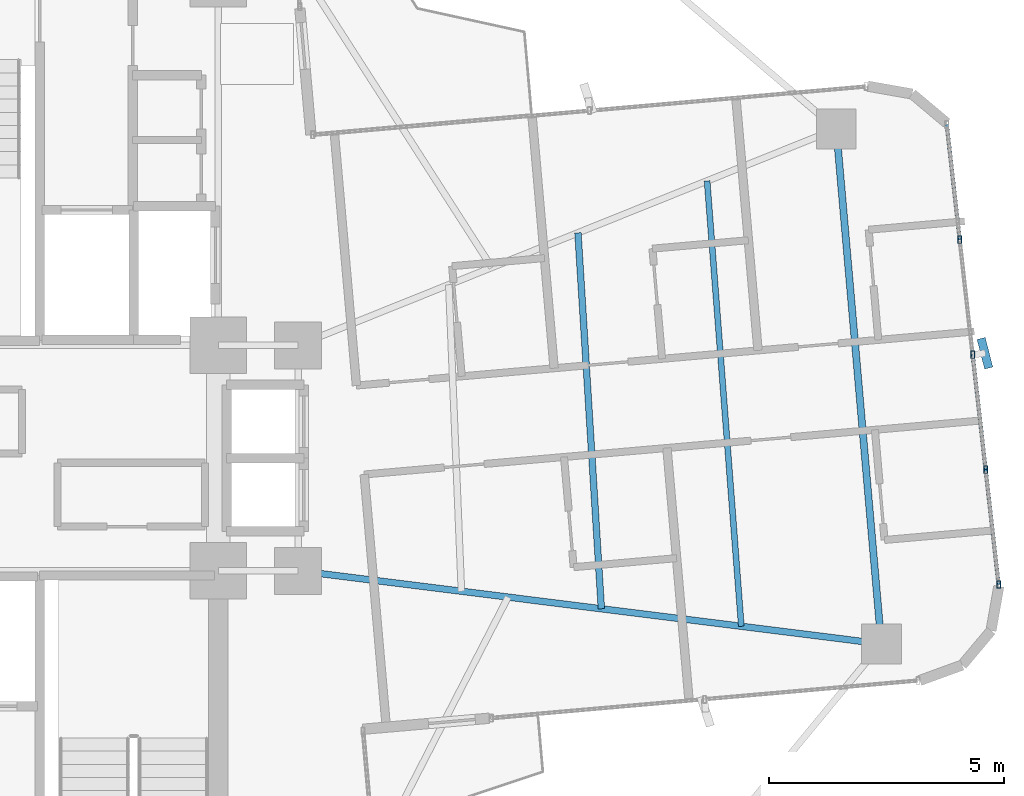
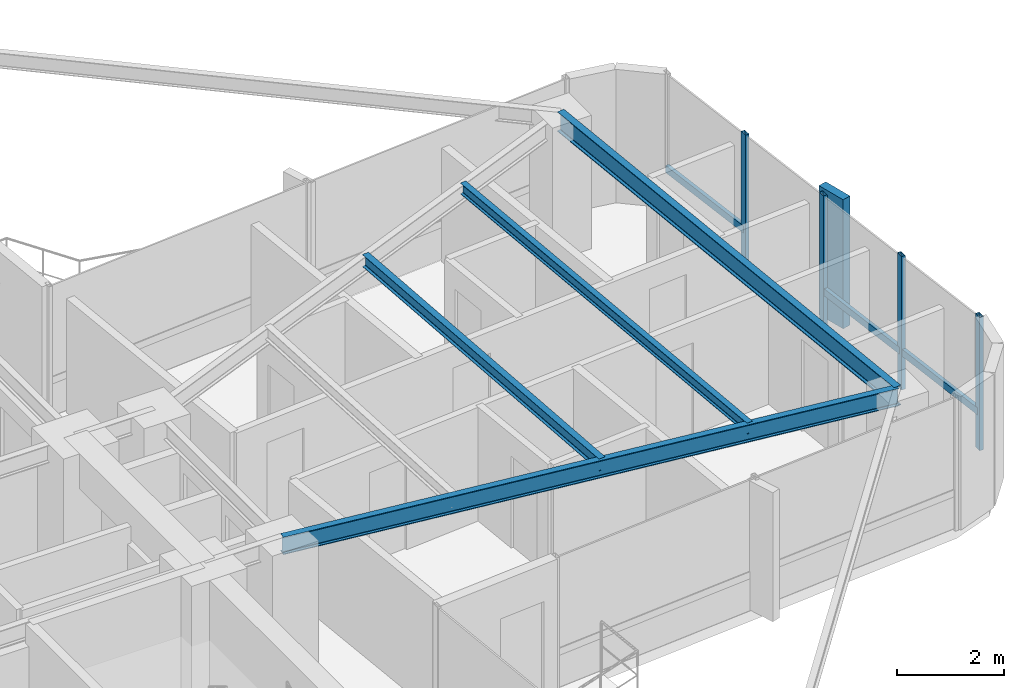
# One storey, part 14 of 24: 8 members, 4 beams, 1 element without a shape of its own.
"""IFC4 building model written with IfcOpenShell, lengths in metres."""

from ifc_helpers import new_model, si_unit, direction, frame, origin, origin_2d, place, context, subcontext, project, spatial, rectangle, hollow_rectangle, i_section, extrude, source, transform, mapped, material, material_profile, profile_set, type_object, element, aggregate, save


model = new_model("IFC4")

# Units and contexts
model_context = context("Model", 3, precision=1e-05, world=origin(), true_north=direction((0.0, 1.0)))
body_context = subcontext(model_context, "Body", "Model", "MODEL_VIEW")
ifc_project = project(units=[si_unit("LENGTHUNIT", "METRE"), si_unit("AREAUNIT", "SQUARE_METRE"), si_unit("VOLUMEUNIT", "CUBIC_METRE"), si_unit("PLANEANGLEUNIT", "RADIAN"), si_unit("MASSUNIT", "GRAM", prefix="KILO")], contexts=[model_context])

# Site, building, storey
site_placement = place(None, origin())
site = spatial("IfcSite", under=ifc_project, at=site_placement, CompositionType="ELEMENT")
building_placement = place(site_placement, origin())
building = spatial("IfcBuilding", under=site, at=building_placement, Name="Sahyath Konkavel Grand Hotel", CompositionType="ELEMENT")
storey_placement = place(building_placement, frame((0.0, 0.0, 167.35009765625)))
storey = spatial("IfcBuildingStorey", under=building, at=storey_placement, Name="L46", CompositionType="ELEMENT", Elevation=167.35009765625)

# Beams
ifc_material_1 = material(Name="Steel E350", Category="steel")
ifc_material_profile_1 = material_profile(ifc_material_1, i_section(OverallWidth=0.139892578125, OverallDepth=0.39990234375, WebThickness=0.0087890625, FlangeThickness=0.01611328125, FilletRadius=0.013916015625, at=origin_2d()), Name="ISMB 400")
ifc_profile_set_1 = profile_set([ifc_material_profile_1], Name="Steel E350")
beam_type_1 = type_object("IfcBeamType", Name="BM-ISMB400", PredefinedType="BEAM", material=ifc_profile_set_1)
shared_shape_1 = source(origin(), body_context, "Body", "SweptSolid", [
    extrude(i_section(OverallWidth=0.139892578125, OverallDepth=0.39990234375, WebThickness=0.0087890625, FlangeThickness=0.01611328125, FilletRadius=0.013916015625, at=origin_2d()), origin(), (0.0, 0.0, 1.0), 12.509765625),
])
beam_1_placement = place(storey_placement, frame((5.5, -2.39990234375, 2.849853515625), z_axis=(0.992254740459, -0.124219684578, 0.0), x_axis=(0.124219684578, 0.992254740459, 0.0)))
element("IfcBeam", 1, at=beam_1_placement, inside=storey, type_object=beam_type_1, Name="L46 Cruciform Radial Girder EA", PredefinedType="BEAM", context=body_context, shape_type="MappedRepresentation", body=[
    mapped(shared_shape_1, transform((0.0, 0.0, 0.0), scale=1.0)),
])
ifc_material_profile_2 = material_profile(ifc_material_1, i_section(OverallWidth=0.14990234375, OverallDepth=0.449951171875, WebThickness=0.009521484375, FlangeThickness=0.017333984375, FilletRadius=0.014892578125, at=origin_2d()), Name="ISMB 450")
ifc_profile_set_2 = profile_set([ifc_material_profile_2], Name="Steel E350")
beam_type_2 = type_object("IfcBeamType", Name="BM-ISMB450", PredefinedType="BEAM", material=ifc_profile_set_2)
shared_shape_2 = source(origin(), body_context, "Body", "SweptSolid", [
    extrude(i_section(OverallWidth=0.14990234375, OverallDepth=0.449951171875, WebThickness=0.009521484375, FlangeThickness=0.017333984375, FilletRadius=0.014892578125, at=origin_2d()), origin(), (0.0, 0.0, 1.0), 11.0),
])
beam_2_placement = place(storey_placement, frame((17.912841796875, -3.953857421875, 2.824951171875), z_axis=(-0.087157314015, 0.996194560622, 0.0), x_axis=(-0.996194560622, -0.087157314015, 0.0)))
element("IfcBeam", 2, at=beam_2_placement, inside=storey, type_object=beam_type_2, Name="L46 Wing Tip Edge Beam E", PredefinedType="BEAM", context=body_context, shape_type="MappedRepresentation", body=[
    mapped(shared_shape_2, transform((0.0, 0.0, 0.0), scale=1.0)),
])
ifc_material_profile_3 = material_profile(ifc_material_1, i_section(OverallWidth=0.139892578125, OverallDepth=0.27490234375, WebThickness=0.00634765625, FlangeThickness=0.0087890625, FilletRadius=0.012939453125, at=origin_2d()), Name="ISLB 275")
ifc_profile_set_3 = profile_set([ifc_material_profile_3], Name="Steel E350")
beam_type_3 = type_object("IfcBeamType", Name="BM-ISLB275", PredefinedType="BEAM", material=ifc_profile_set_3)
shared_shape_3 = source(origin(), body_context, "Body", "SweptSolid", [
    extrude(i_section(OverallWidth=0.139892578125, OverallDepth=0.27490234375, WebThickness=0.00634765625, FlangeThickness=0.0087890625, FilletRadius=0.012939453125, at=origin_2d()), origin(), (0.0, 0.0, 1.0), 8.017822265625),
])
beam_3_placement = place(storey_placement, frame((11.95458984375, -3.2080078125, 2.912353515625), z_axis=(-0.062179233264, 0.998064999362, 0.0), x_axis=(-0.998064999362, -0.062179233264, 0.0)))
element("IfcBeam", 3, at=beam_3_placement, inside=storey, type_object=beam_type_3, Name="L46 Secondary Floor Beam E-2", PredefinedType="BEAM", context=body_context, shape_type="MappedRepresentation", body=[
    mapped(shared_shape_3, transform((0.0, 0.0, 0.0), scale=1.0)),
])
ifc_material_profile_4 = material_profile(ifc_material_1, i_section(OverallWidth=0.125, OverallDepth=0.25, WebThickness=0.0068359375, FlangeThickness=0.012451171875, FilletRadius=0.012939453125, at=origin_2d()), Name="ISMB 250")
ifc_profile_set_4 = profile_set([ifc_material_profile_4], Name="Steel E350")
beam_type_4 = type_object("IfcBeamType", Name="BM-ISMB250", PredefinedType="BEAM", material=ifc_profile_set_4)
shared_shape_4 = source(origin(), body_context, "Body", "SweptSolid", [
    extrude(i_section(OverallWidth=0.125, OverallDepth=0.25, WebThickness=0.0068359375, FlangeThickness=0.012451171875, FilletRadius=0.012939453125, at=origin_2d()), origin(), (0.0, 0.0, 1.0), 9.508056640625),
])
beam_4_placement = place(storey_placement, frame((14.93359375, -3.580810546875, 2.9248046875), z_axis=(-0.076619921029, 0.997060373148, 0.0), x_axis=(-0.997060373148, -0.076619921029, 0.0)))
element("IfcBeam", 4, at=beam_4_placement, inside=storey, type_object=beam_type_4, Name="L46 Secondary Floor Beam E-3", PredefinedType="BEAM", context=body_context, shape_type="MappedRepresentation", body=[
    mapped(shared_shape_4, transform((0.0, 0.0, 0.0), scale=1.0)),
])

# Curtain wall, members
ifc_material_2 = material(Name="Anodised Bronze Aluminium & Low-E Glazing", Category="aluminium")
curtain_wall_type = type_object("IfcCurtainWallType", Name="CW-ZONE3", PredefinedType="NOTDEFINED", material=ifc_material_2)
curtain_wall_placement = place(storey_placement, origin())
curtain_wall = element("IfcCurtainWall", 5, at=curtain_wall_placement, inside=storey, type_object=curtain_wall_type, Name="L46 Unitised Curtain Wall F4", PredefinedType="NOTDEFINED")
ifc_material_3 = material(Name="Anodised Bronze Aluminium", Category="aluminium")
ifc_material_profile_5 = material_profile(ifc_material_3, hollow_rectangle(XDim=0.080078125, YDim=0.159912109375, WallThickness=0.006103515625, at=origin_2d()), Name="RHS 160x80x6")
ifc_profile_set_5 = profile_set([ifc_material_profile_5], Name="Anodised Bronze Aluminium")
member_type_1 = type_object("IfcMemberType", Name="CW-MUL-160", PredefinedType="MULLION", material=ifc_profile_set_5)
shared_shape_5 = source(origin(), body_context, "Body", "SweptSolid", [
    extrude(hollow_rectangle(XDim=0.080078125, YDim=0.159912109375, WallThickness=0.006103515625, at=origin_2d()), origin(), (0.0, 0.0, 1.0), 3.0498046875),
])
member_1_placement = place(storey_placement, frame((20.4111328125, -2.69140625, 0.0), z_axis=(0.0, 0.0, 1.0), x_axis=(1.0, 0.0, 0.0)))
member_1 = element("IfcMember", 6, at=member_1_placement, type_object=member_type_1, Name="L46 Curtain Wall Mullion F4-0", PredefinedType="MULLION", context=body_context, shape_type="MappedRepresentation", body=[
    mapped(shared_shape_5, transform((0.0, 0.0, 0.0), scale=1.0)),
])
member_2_placement = place(storey_placement, frame((20.135498046875, -0.24462890625, 0.0), z_axis=(0.0, 0.0, 1.0), x_axis=(1.0, 0.0, 0.0)))
member_2 = element("IfcMember", 7, at=member_2_placement, type_object=member_type_1, Name="L46 Curtain Wall Mullion F4-1", PredefinedType="MULLION", context=body_context, shape_type="MappedRepresentation", body=[
    mapped(shared_shape_5, transform((0.0, 0.0, 0.0), scale=1.0)),
])
member_3_placement = place(storey_placement, frame((19.859619140625, 2.201904296875, 0.0), z_axis=(0.0, 0.0, 1.0), x_axis=(1.0, 0.0, 0.0)))
member_3 = element("IfcMember", 8, at=member_3_placement, type_object=member_type_1, Name="L46 Curtain Wall Mullion F4-2", PredefinedType="MULLION", context=body_context, shape_type="MappedRepresentation", body=[
    mapped(shared_shape_5, transform((0.0, 0.0, 0.0), scale=1.0)),
])
member_4_placement = place(storey_placement, frame((19.583984375, 4.648193359375, 0.0), z_axis=(0.0, 0.0, 1.0), x_axis=(1.0, 0.0, 0.0)))
member_4 = element("IfcMember", 9, at=member_4_placement, type_object=member_type_1, Name="L46 Curtain Wall Mullion F4-3", PredefinedType="MULLION", context=body_context, shape_type="MappedRepresentation", body=[
    mapped(shared_shape_5, transform((0.0, 0.0, 0.0), scale=1.0)),
])
ifc_material_4 = material(Name="Warm Buff Sandstone Cladding on Concrete C50/60", Category="masonry")
ifc_material_profile_6 = material_profile(ifc_material_4, rectangle(XDim=0.179931640625, YDim=0.64990234375, at=origin_2d()), Name="FIN 180x650")
ifc_profile_set_6 = profile_set([ifc_material_profile_6], Name="Warm Buff Sandstone Cladding on Concrete C50/60")
member_type_2 = type_object("IfcMemberType", Name="FIN-SANDSTONE-650", PredefinedType="MULLION", material=ifc_profile_set_6)
shared_shape_6 = source(origin(), body_context, "Body", "SweptSolid", [
    extrude(rectangle(XDim=0.179931640625, YDim=0.64990234375, at=origin_2d()), origin(), (0.0, 0.0, 1.0), 2.9501953125),
])
member_5_placement = place(storey_placement, frame((20.1181640625, 2.23095703125, 0.0498046875), z_axis=(0.0, 0.0, 1.0), x_axis=(0.96862655095, 0.248520833726, 0.0)))
member_5 = element("IfcMember", 10, at=member_5_placement, type_object=member_type_2, Name="L46 Sandstone Vertical Solar Fin FIN F4-2", PredefinedType="MULLION", context=body_context, shape_type="MappedRepresentation", body=[
    mapped(shared_shape_6, transform((0.0, 0.0, 0.0), scale=1.0)),
])
ifc_material_profile_7 = material_profile(ifc_material_3, hollow_rectangle(XDim=0.080078125, YDim=0.159912109375, WallThickness=0.006103515625, at=origin_2d()), Name="RHS 160x80x6")
ifc_profile_set_7 = profile_set([ifc_material_profile_7], Name="Anodised Bronze Aluminium")
member_type_3 = type_object("IfcMemberType", Name="CW-TRN-160", PredefinedType="USERDEFINED", material=ifc_profile_set_7)
shared_shape_7 = source(origin(), body_context, "Body", "SweptSolid", [
    extrude(hollow_rectangle(XDim=0.080078125, YDim=0.159912109375, WallThickness=0.006103515625, at=origin_2d()), origin(), (0.0, 0.0, 1.0), 2.462158203125),
])
member_6_placement = place(storey_placement, frame((20.4111328125, -2.69140625, 0.849853515625), z_axis=(-0.11194409079, 0.993714506555, 0.0), x_axis=(-0.993714506555, -0.11194409079, 0.0)))
member_6 = element("IfcMember", 11, at=member_6_placement, type_object=member_type_3, Name="L46 Curtain Wall Transom F4-0-spandrel", ObjectType="TRANSOM", PredefinedType="USERDEFINED", context=body_context, shape_type="MappedRepresentation", body=[
    mapped(shared_shape_7, transform((0.0, 0.0, 0.0), scale=1.0)),
])
member_7_placement = place(storey_placement, frame((20.135498046875, -0.24462890625, 0.849853515625), z_axis=(-0.112053040279, 0.99370222711, 0.0), x_axis=(-0.99370222711, -0.112053040279, 0.0)))
member_7 = element("IfcMember", 12, at=member_7_placement, type_object=member_type_3, Name="L46 Curtain Wall Transom F4-1-spandrel", ObjectType="TRANSOM", PredefinedType="USERDEFINED", context=body_context, shape_type="MappedRepresentation", body=[
    mapped(shared_shape_7, transform((0.0, 0.0, 0.0), scale=1.0)),
])
member_8_placement = place(storey_placement, frame((19.583984375, 4.648193359375, 0.849853515625), z_axis=(-0.11194409079, 0.993714506555, 0.0), x_axis=(-0.993714506555, -0.11194409079, 0.0)))
member_8 = element("IfcMember", 13, at=member_8_placement, type_object=member_type_3, Name="L46 Curtain Wall Transom F4-3-spandrel", ObjectType="TRANSOM", PredefinedType="USERDEFINED", context=body_context, shape_type="MappedRepresentation", body=[
    mapped(shared_shape_7, transform((0.0, 0.0, 0.0), scale=1.0)),
])
aggregate(curtain_wall, [member_1, member_2, member_3, member_5, member_4, member_6, member_7, member_8])

save(model, "model.ifc")
